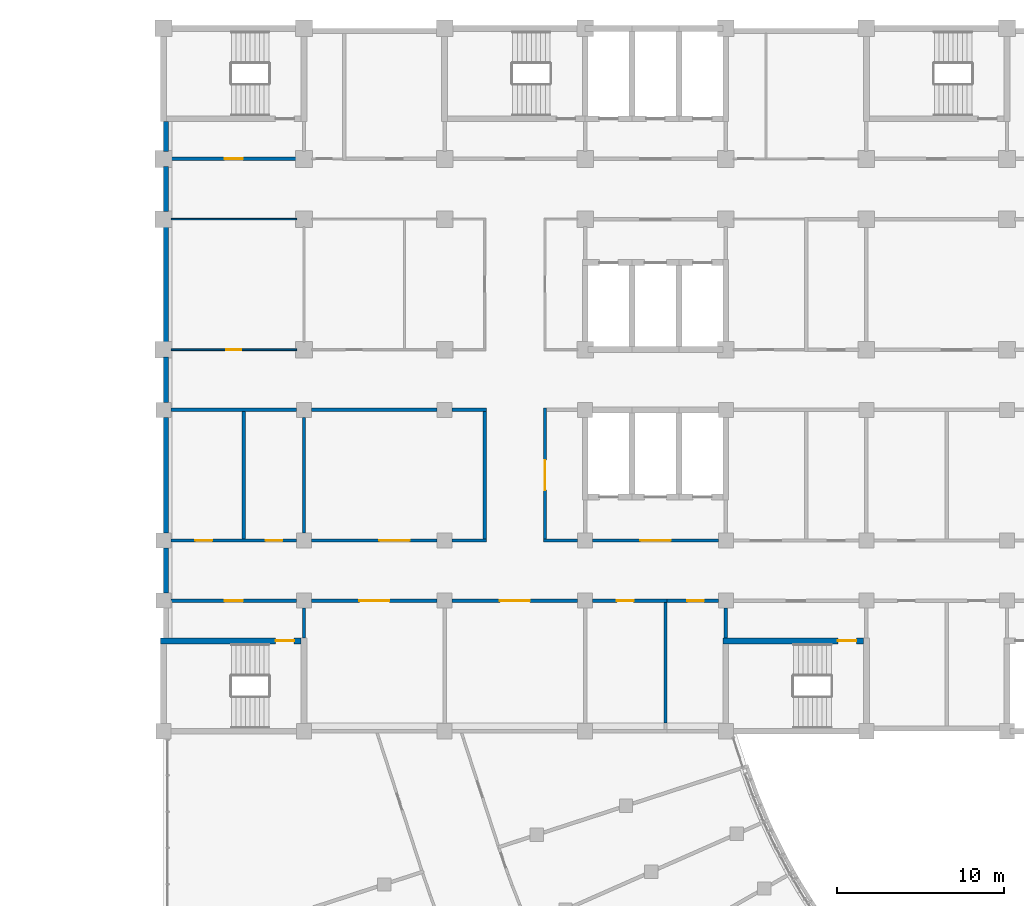
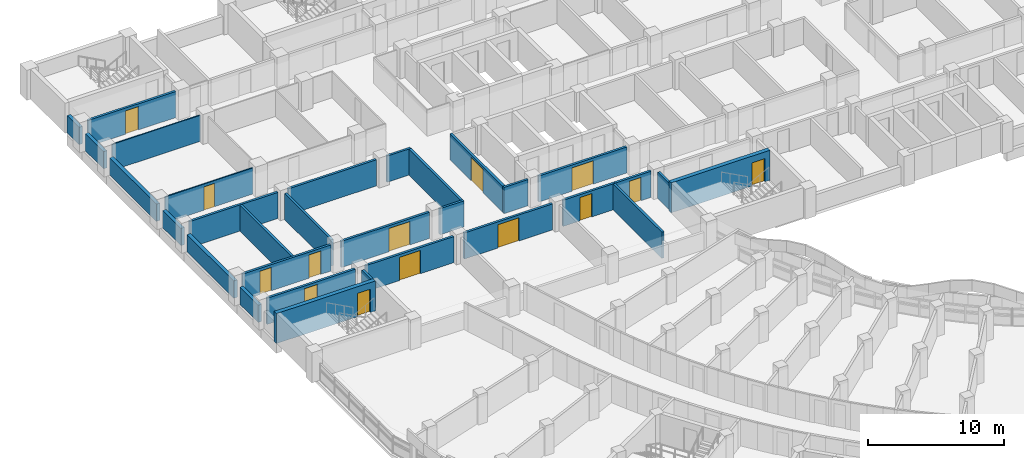
# One storey, part 44 of 89: 31 walls, 14 doors, 14 openings.
"""IFC4 building model written with IfcOpenShell, lengths in metres."""

from ifc_helpers import new_model, si_unit, direction, frame, frame_2d, origin, place, context, subcontext, project, spatial, rectangle, extrude, material, layer, layer_set, type_object, element, fill, save


model = new_model("IFC4")

# Units and contexts
model_context = context("Model", 3, precision=1e-05, world=origin(), true_north=direction((0.0, 1.0)))
body_context = subcontext(model_context, "Body", "Model", "MODEL_VIEW")
ifc_project = project(units=[si_unit("LENGTHUNIT", "METRE"), si_unit("AREAUNIT", "SQUARE_METRE"), si_unit("VOLUMEUNIT", "CUBIC_METRE"), si_unit("PLANEANGLEUNIT", "RADIAN"), si_unit("MASSUNIT", "GRAM", prefix="KILO")], contexts=[model_context])

# Site, building, storey
site_placement = place(None, origin())
site = spatial("IfcSite", under=ifc_project, at=site_placement, CompositionType="ELEMENT")
building_placement = place(site_placement, origin())
building = spatial("IfcBuilding", under=site, at=building_placement, Name="Bougainvillea Quay General Hospital", CompositionType="ELEMENT")
storey_placement = place(building_placement, frame((0.0, 0.0, 9.89990234375)))
storey = spatial("IfcBuildingStorey", under=building, at=storey_placement, Name="L01M", CompositionType="ELEMENT", Elevation=9.89990234375)

# Walls
ifc_material_1 = material(Name="Pale stone rainscreen cladding on insulated masonry backing, pale stone", Category="masonry")
ifc_layer_1 = layer(ifc_material_1, 0.300048828125)
ifc_layer_set_1 = layer_set([ifc_layer_1], Name="Pale stone rainscreen cladding on insulated masonry backing, pale stone")
wall_type_1 = type_object("IfcWallType", Name="External wall pale stone rainscreen 300", PredefinedType="STANDARD", material=ifc_layer_set_1)
wall_1_placement = place(storey_placement, frame((42.14990234375, 151.35009765625, 0.0), z_axis=(0.0, 0.0, 1.0), x_axis=(0.0, -1.0, 0.0)))
element("IfcWall", 1, at=wall_1_placement, inside=storey, type_object=wall_type_1, Name="External wall wall/V4/L01M/p0/10b", PredefinedType="STANDARD", context=body_context, shape_type="SweptSolid", body=[
    extrude(rectangle(XDim=2.7001953125, YDim=0.300048828125, at=frame_2d((1.35009765625, 0.0))), origin(), (0.0, 0.0, 1.0), 1.550048828125),
])
wall_2_placement = place(storey_placement, frame((42.14990234375, 147.75, 0.0), z_axis=(0.0, 0.0, 1.0), x_axis=(0.0, -1.0, 0.0)))
element("IfcWall", 2, at=wall_2_placement, inside=storey, type_object=wall_type_1, Name="External wall wall/V4/L01M/p0/10c", PredefinedType="STANDARD", context=body_context, shape_type="SweptSolid", body=[
    extrude(rectangle(XDim=6.89990234375, YDim=0.300048828125, at=frame_2d((3.449951171875, 0.0))), origin(), (0.0, 0.0, 1.0), 1.550048828125),
])
wall_3_placement = place(storey_placement, frame((42.14990234375, 139.949951171875, 0.0), z_axis=(0.0, 0.0, 1.0), x_axis=(0.0, -1.0, 0.0)))
element("IfcWall", 3, at=wall_3_placement, inside=storey, type_object=wall_type_1, Name="External wall wall/V4/L01M/p0/10d", PredefinedType="STANDARD", context=body_context, shape_type="SweptSolid", body=[
    extrude(rectangle(XDim=2.699951171875, YDim=0.300048828125, at=frame_2d((1.35009765625, 0.0))), origin(), (0.0, 0.0, 1.0), 1.550048828125),
])
wall_4_placement = place(storey_placement, frame((42.14990234375, 136.35009765625, 0.0), z_axis=(0.0, 0.0, 1.0), x_axis=(0.0, -1.0, 0.0)))
element("IfcWall", 4, at=wall_4_placement, inside=storey, type_object=wall_type_1, Name="External wall wall/V4/L01M/p0/10e", PredefinedType="STANDARD", context=body_context, shape_type="SweptSolid", body=[
    extrude(rectangle(XDim=6.900146484375, YDim=0.300048828125, at=frame_2d((3.4501953125, 0.0))), origin(), (0.0, 0.0, 1.0), 1.550048828125),
])
wall_5_placement = place(storey_placement, frame((42.14990234375, 128.550048828125, 0.0), z_axis=(0.0, 0.0, 1.0), x_axis=(0.0, -1.0, 0.0)))
element("IfcWall", 5, at=wall_5_placement, inside=storey, type_object=wall_type_1, Name="External wall wall/V4/L01M/p0/10f", PredefinedType="STANDARD", context=body_context, shape_type="SweptSolid", body=[
    extrude(rectangle(XDim=2.699951171875, YDim=0.300048828125, at=frame_2d((1.35009765625, 0.0))), origin(), (0.0, 0.0, 1.0), 1.550048828125),
])
ifc_material_2 = material(Name="Terracotta rainscreen cladding on insulated masonry backing, terracotta", Category="masonry")
ifc_layer_2 = layer(ifc_material_2, 0.300048828125)
ifc_layer_set_2 = layer_set([ifc_layer_2], Name="Terracotta rainscreen cladding on insulated masonry backing, terracotta")
wall_type_2 = type_object("IfcWallType", Name="External wall terracotta rainscreen 300", PredefinedType="STANDARD", material=ifc_layer_set_2)
wall_6_placement = place(storey_placement, frame((42.14990234375, 154.02490234375, 0.0), z_axis=(0.0, 0.0, 1.0), x_axis=(0.0, -1.0, 0.0)))
element("IfcWall", 6, at=wall_6_placement, inside=storey, type_object=wall_type_2, Name="External wall wall/V4/L01M/p0/10a", PredefinedType="STANDARD", context=body_context, shape_type="SweptSolid", body=[
    extrude(rectangle(XDim=1.77490234375, YDim=0.300048828125, at=frame_2d((0.887451171875, 0.0))), origin(), (0.0, 0.0, 1.0), 1.550048828125),
])

# Wall, opening, door
ifc_material_3 = material(Name="Gypsum board partition on steel studs", Category="steel")
ifc_layer_3 = layer(ifc_material_3, 0.10009765625)
ifc_layer_set_3 = layer_set([ifc_layer_3], Name="Gypsum board partition on steel studs")
wall_type_3 = type_object("IfcWallType", Name="Partition 100 Gypsum board partition", PredefinedType="PARTITIONING", material=ifc_layer_set_3)
wall_7_placement = place(storey_placement, frame((49.949951171875, 140.39990234375, 0.0), z_axis=(0.0, 0.0, 1.0), x_axis=(-1.0, 0.0, 0.0)))
wall_7 = element("IfcWall", 7, at=wall_7_placement, inside=storey, type_object=wall_type_3, Name="Partition 100 mm", PredefinedType="PARTITIONING", context=body_context, shape_type="SweptSolid", body=[
    extrude(rectangle(XDim=7.5, YDim=0.10009765625, at=frame_2d((3.75, 0.0))), origin(), (0.0, 0.0, 1.0), 2.35009765625),
])
opening_1_placement = place(wall_7_placement, frame((3.300048828125, 0.0, 0.0)))
opening_1 = element("IfcOpeningElement", 8, at=opening_1_placement, cuts=wall_7, Name="Opening L01M.129", PredefinedType="OPENING", context=body_context, shape_type="SweptSolid", body=[
    extrude(rectangle(XDim=0.89990234375, YDim=2.10009765625, at=frame_2d((0.449951171875, 1.050048828125))), frame((0.0, 0.06005859375, 0.0), z_axis=(0.0, -1.0, 0.0), x_axis=(1.0, 0.0, 0.0)), (0.0, 0.0, 1.0), 0.1201171875),
])
ifc_material_4 = material(Name="Solid-core timber door leaf in steel frame", Category="steel")
door_type_1 = type_object("IfcDoorType", Name="Single leaf door 900x2100", OperationType="NOTDEFINED", PredefinedType="DOOR", material=ifc_material_4)
door_1_placement = place(opening_1_placement, frame((0.89990234375, 0.0, 0.0), z_axis=(0.0, 0.0, 1.0), x_axis=(-1.0, 0.0, 0.0)))
door_1 = element("IfcDoor", 9, at=door_1_placement, inside=storey, type_object=door_type_1, Name="DT07 L01M.129", OperationType="SINGLE_SWING_LEFT", OverallHeight=2.10009765625, OverallWidth=0.89990234375, PredefinedType="DOOR", context=body_context, shape_type="SweptSolid", body=[
    extrude(rectangle(XDim=0.89990234375, YDim=2.10009765625, at=frame_2d((0.449951171875, 1.050048828125))), frame((0.0, 0.02490234375, 0.0), z_axis=(0.0, -1.0, 0.0), x_axis=(1.0, 0.0, 0.0)), (0.0, 0.0, 1.0), 0.050048828125),
])
fill(opening_1, door_1)

# Wall
wall_8_placement = place(storey_placement, frame((49.949951171875, 148.199951171875, 0.0), z_axis=(0.0, 0.0, 1.0), x_axis=(-1.0, 0.0, 0.0)))
element("IfcWall", 10, at=wall_8_placement, inside=storey, type_object=wall_type_3, Name="Partition 100 mm", PredefinedType="PARTITIONING", context=body_context, shape_type="SweptSolid", body=[
    extrude(rectangle(XDim=7.5, YDim=0.10009765625, at=frame_2d((3.75, 0.0))), origin(), (0.0, 0.0, 1.0), 2.35009765625),
])

# Wall, opening, door
ifc_material_5 = material(Name="Fire-rated autoclaved aerated block wall, plastered")
ifc_layer_4 = layer(ifc_material_5, 0.199951171875)
ifc_layer_set_4 = layer_set([ifc_layer_4], Name="Fire-rated autoclaved aerated block wall, plastered")
wall_type_4 = type_object("IfcWallType", Name="Partition 200 Fire-rated autoclaved aerated block wall EI 120", PredefinedType="SOLIDWALL", material=ifc_layer_set_4)
wall_9_placement = place(storey_placement, frame((75.14990234375, 129.0, 0.0), z_axis=(0.0, 0.0, 1.0), x_axis=(-1.0, 0.0, 0.0)))
wall_9 = element("IfcWall", 11, at=wall_9_placement, inside=storey, type_object=wall_type_4, Name="Partition 200 mm EI 120", PredefinedType="SOLIDWALL", context=body_context, shape_type="SweptSolid", body=[
    extrude(rectangle(XDim=7.5, YDim=0.199951171875, at=frame_2d((3.75, 0.0))), origin(), (0.0, 0.0, 1.0), 2.35009765625),
])
opening_2_placement = place(wall_9_placement, frame((2.85009765625, 0.0, 0.0)))
opening_2 = element("IfcOpeningElement", 12, at=opening_2_placement, cuts=wall_9, Name="Opening L01M.045", PredefinedType="OPENING", context=body_context, shape_type="SweptSolid", body=[
    extrude(rectangle(XDim=1.800048828125, YDim=2.10009765625, at=frame_2d((0.89990234375, 1.050048828125))), frame((0.0, 0.10986328125, 0.0), z_axis=(0.0, -1.0, 0.0), x_axis=(1.0, 0.0, 0.0)), (0.0, 0.0, 1.0), 0.219970703125),
])
ifc_material_6 = material(Name="Steel fire door leaves in steel frame", Category="steel")
door_type_2 = type_object("IfcDoorType", Name="Steel double leaf door 1800x2100 FD60", OperationType="DOUBLE_DOOR_SINGLE_SWING", PredefinedType="DOOR", material=ifc_material_6)
door_2_placement = place(opening_2_placement, frame((1.800048828125, 0.0, 0.0), z_axis=(0.0, 0.0, 1.0), x_axis=(-1.0, 0.0, 0.0)))
door_2 = element("IfcDoor", 13, at=door_2_placement, inside=storey, type_object=door_type_2, Name="DT05 L01M.045", OperationType="DOUBLE_DOOR_SINGLE_SWING", OverallHeight=2.10009765625, OverallWidth=1.800048828125, PredefinedType="DOOR", context=body_context, shape_type="SweptSolid", body=[
    extrude(rectangle(XDim=1.800048828125, YDim=2.10009765625, at=frame_2d((0.89990234375, 1.050048828125))), frame((0.0, 0.02490234375, 0.0), z_axis=(0.0, -1.0, 0.0), x_axis=(1.0, 0.0, 0.0)), (0.0, 0.0, 1.0), 0.050048828125),
])
fill(opening_2, door_2)

# Wall
wall_10_placement = place(storey_placement, frame((66.75, 129.0, 0.0), z_axis=(0.0, 0.0, 1.0), x_axis=(-1.0, 0.0, 0.0)))
element("IfcWall", 14, at=wall_10_placement, inside=storey, type_object=wall_type_4, Name="Partition 200 mm EI 120", PredefinedType="SOLIDWALL", context=body_context, shape_type="SweptSolid", body=[
    extrude(rectangle(XDim=2.050048828125, YDim=0.199951171875, at=frame_2d((1.02490234375, 0.0))), origin(), (0.0, 0.0, 1.0), 2.35009765625),
])

# Wall, opening, door
wall_11_placement = place(storey_placement, frame((72.097900390625, 125.39990234375, 0.0), z_axis=(0.0, 0.0, 1.0), x_axis=(-1.0, 0.0, 0.0)))
wall_11 = element("IfcWall", 15, at=wall_11_placement, inside=storey, type_object=wall_type_4, Name="Partition 200 mm EI 120", PredefinedType="SOLIDWALL", context=body_context, shape_type="SweptSolid", body=[
    extrude(rectangle(XDim=4.447998046875, YDim=0.199951171875, at=frame_2d((2.22412109375, 0.0))), origin(), (0.0, 0.0, 1.0), 2.35009765625),
])
opening_3_placement = place(wall_11_placement, frame((2.0, 0.0, 0.0)))
opening_3 = element("IfcOpeningElement", 16, at=opening_3_placement, cuts=wall_11, Name="Opening L01M.084", PredefinedType="OPENING", context=body_context, shape_type="SweptSolid", body=[
    extrude(rectangle(XDim=1.0, YDim=2.10009765625, at=frame_2d((0.5, 1.050048828125))), frame((0.0, 0.10986328125, 0.0), z_axis=(0.0, -1.0, 0.0), x_axis=(1.0, 0.0, 0.0)), (0.0, 0.0, 1.0), 0.219970703125),
])
ifc_material_7 = material(Name="Steel fire door leaf in steel frame", Category="steel")
door_type_3 = type_object("IfcDoorType", Name="Steel single leaf door 1000x2100 FD90", OperationType="NOTDEFINED", PredefinedType="DOOR", material=ifc_material_7)
door_3_placement = place(opening_3_placement, origin())
door_3 = element("IfcDoor", 17, at=door_3_placement, inside=storey, type_object=door_type_3, Name="DT11 L01M.084", OperationType="SINGLE_SWING_RIGHT", OverallHeight=2.10009765625, OverallWidth=1.0, PredefinedType="DOOR", context=body_context, shape_type="SweptSolid", body=[
    extrude(rectangle(XDim=1.0, YDim=2.10009765625, at=frame_2d((0.5, 1.050048828125))), frame((0.0, 0.02490234375, 0.0), z_axis=(0.0, -1.0, 0.0), x_axis=(1.0, 0.0, 0.0)), (0.0, 0.0, 1.0), 0.050048828125),
])
fill(opening_3, door_3)

wall_12_placement = place(storey_placement, frame((66.75, 125.39990234375, 0.0), z_axis=(0.0, 0.0, 1.0), x_axis=(-1.0, 0.0, 0.0)))
wall_12 = element("IfcWall", 18, at=wall_12_placement, inside=storey, type_object=wall_type_4, Name="Partition 200 mm EI 120", PredefinedType="SOLIDWALL", context=body_context, shape_type="SweptSolid", body=[
    extrude(rectangle(XDim=7.5, YDim=0.199951171875, at=frame_2d((3.75, 0.0))), origin(), (0.0, 0.0, 1.0), 2.35009765625),
])
opening_4_placement = place(wall_12_placement, frame((2.85205078125, 0.0, 0.0)))
opening_4 = element("IfcOpeningElement", 19, at=opening_4_placement, cuts=wall_12, Name="Opening L01M.083", PredefinedType="OPENING", context=body_context, shape_type="SweptSolid", body=[
    extrude(rectangle(XDim=1.800048828125, YDim=2.10009765625, at=frame_2d((0.89990234375, 1.050048828125))), frame((0.0, 0.10986328125, 0.0), z_axis=(0.0, -1.0, 0.0), x_axis=(1.0, 0.0, 0.0)), (0.0, 0.0, 1.0), 0.219970703125),
])
door_type_4 = type_object("IfcDoorType", Name="Steel double leaf door 1800x2100 FD90", OperationType="DOUBLE_DOOR_SINGLE_SWING", PredefinedType="DOOR", material=ifc_material_6)
door_4_placement = place(opening_4_placement, origin())
door_4 = element("IfcDoor", 20, at=door_4_placement, inside=storey, type_object=door_type_4, Name="DT03 L01M.083", OperationType="DOUBLE_DOOR_SINGLE_SWING", OverallHeight=2.10009765625, OverallWidth=1.800048828125, PredefinedType="DOOR", context=body_context, shape_type="SweptSolid", body=[
    extrude(rectangle(XDim=1.800048828125, YDim=2.10009765625, at=frame_2d((0.89990234375, 1.050048828125))), frame((0.0, 0.02490234375, 0.0), z_axis=(0.0, -1.0, 0.0), x_axis=(1.0, 0.0, 0.0)), (0.0, 0.0, 1.0), 0.050048828125),
])
fill(opening_4, door_4)

wall_13_placement = place(storey_placement, frame((58.35009765625, 125.39990234375, 0.0), z_axis=(0.0, 0.0, 1.0), x_axis=(-1.0, 0.0, 0.0)))
wall_13 = element("IfcWall", 21, at=wall_13_placement, inside=storey, type_object=wall_type_4, Name="Partition 200 mm EI 120", PredefinedType="SOLIDWALL", context=body_context, shape_type="SweptSolid", body=[
    extrude(rectangle(XDim=7.5, YDim=0.199951171875, at=frame_2d((3.75, 0.0))), origin(), (0.0, 0.0, 1.0), 2.35009765625),
])
opening_5_placement = place(wall_13_placement, frame((2.85107421875, 0.0, 0.0)))
opening_5 = element("IfcOpeningElement", 22, at=opening_5_placement, cuts=wall_13, Name="Opening L01M.082", PredefinedType="OPENING", context=body_context, shape_type="SweptSolid", body=[
    extrude(rectangle(XDim=1.800048828125, YDim=2.10009765625, at=frame_2d((0.89990234375, 1.050048828125))), frame((0.0, 0.10986328125, 0.0), z_axis=(0.0, -1.0, 0.0), x_axis=(1.0, 0.0, 0.0)), (0.0, 0.0, 1.0), 0.219970703125),
])
door_5_placement = place(opening_5_placement, origin())
door_5 = element("IfcDoor", 23, at=door_5_placement, inside=storey, type_object=door_type_4, Name="DT03 L01M.082", OperationType="DOUBLE_DOOR_SINGLE_SWING", OverallHeight=2.10009765625, OverallWidth=1.800048828125, PredefinedType="DOOR", context=body_context, shape_type="SweptSolid", body=[
    extrude(rectangle(XDim=1.800048828125, YDim=2.10009765625, at=frame_2d((0.89990234375, 1.050048828125))), frame((0.0, 0.02490234375, 0.0), z_axis=(0.0, -1.0, 0.0), x_axis=(1.0, 0.0, 0.0)), (0.0, 0.0, 1.0), 0.050048828125),
])
fill(opening_5, door_5)

wall_14_placement = place(storey_placement, frame((49.949951171875, 125.39990234375, 0.0), z_axis=(0.0, 0.0, 1.0), x_axis=(-1.0, 0.0, 0.0)))
wall_14 = element("IfcWall", 24, at=wall_14_placement, inside=storey, type_object=wall_type_4, Name="Partition 200 mm EI 120", PredefinedType="SOLIDWALL", context=body_context, shape_type="SweptSolid", body=[
    extrude(rectangle(XDim=7.5, YDim=0.199951171875, at=frame_2d((3.75, 0.0))), origin(), (0.0, 0.0, 1.0), 2.35009765625),
])
opening_6_placement = place(wall_14_placement, frame((3.199951171875, 0.0, 0.0)))
opening_6 = element("IfcOpeningElement", 25, at=opening_6_placement, cuts=wall_14, Name="Opening L01M.035", PredefinedType="OPENING", context=body_context, shape_type="SweptSolid", body=[
    extrude(rectangle(XDim=1.10009765625, YDim=2.10009765625, at=frame_2d((0.550048828125, 1.050048828125))), frame((0.0, 0.10986328125, 0.0), z_axis=(0.0, -1.0, 0.0), x_axis=(1.0, 0.0, 0.0)), (0.0, 0.0, 1.0), 0.219970703125),
])
door_type_5 = type_object("IfcDoorType", Name="Steel single leaf door 1100x2100 FD60", OperationType="NOTDEFINED", PredefinedType="DOOR", material=ifc_material_7)
door_6_placement = place(opening_6_placement, origin())
door_6 = element("IfcDoor", 26, at=door_6_placement, inside=storey, type_object=door_type_5, Name="DT04 L01M.035", OperationType="SINGLE_SWING_LEFT", OverallHeight=2.10009765625, OverallWidth=1.10009765625, PredefinedType="DOOR", context=body_context, shape_type="SweptSolid", body=[
    extrude(rectangle(XDim=1.10009765625, YDim=2.10009765625, at=frame_2d((0.550048828125, 1.050048828125))), frame((0.0, 0.02490234375, 0.0), z_axis=(0.0, -1.0, 0.0), x_axis=(1.0, 0.0, 0.0)), (0.0, 0.0, 1.0), 0.050048828125),
])
fill(opening_6, door_6)

# Wall
wall_15_placement = place(storey_placement, frame((61.300048828125, 129.0, 0.0), z_axis=(0.0, 0.0, 1.0), x_axis=(-1.0, 0.0, 0.0)))
element("IfcWall", 27, at=wall_15_placement, inside=storey, type_object=wall_type_4, Name="Partition 200 mm EI 120", PredefinedType="SOLIDWALL", context=body_context, shape_type="SweptSolid", body=[
    extrude(rectangle(XDim=2.050048828125, YDim=0.199951171875, at=frame_2d((1.02490234375, 0.0))), origin(), (0.0, 0.0, 1.0), 2.35009765625),
])

# Wall, opening, door
wall_16_placement = place(storey_placement, frame((58.35009765625, 129.0, 0.0), z_axis=(0.0, 0.0, 1.0), x_axis=(-1.0, 0.0, 0.0)))
wall_16 = element("IfcWall", 28, at=wall_16_placement, inside=storey, type_object=wall_type_4, Name="Partition 200 mm EI 120", PredefinedType="SOLIDWALL", context=body_context, shape_type="SweptSolid", body=[
    extrude(rectangle(XDim=7.5, YDim=0.199951171875, at=frame_2d((3.75, 0.0))), origin(), (0.0, 0.0, 1.0), 2.35009765625),
])
opening_7_placement = place(wall_16_placement, frame((1.64990234375, 0.0, 0.0)))
opening_7 = element("IfcOpeningElement", 29, at=opening_7_placement, cuts=wall_16, Name="Opening L01M.088", PredefinedType="OPENING", context=body_context, shape_type="SweptSolid", body=[
    extrude(rectangle(XDim=1.800048828125, YDim=2.10009765625, at=frame_2d((0.89990234375, 1.050048828125))), frame((0.0, 0.10986328125, 0.0), z_axis=(0.0, -1.0, 0.0), x_axis=(1.0, 0.0, 0.0)), (0.0, 0.0, 1.0), 0.219970703125),
])
door_7_placement = place(opening_7_placement, frame((1.800048828125, 0.0, 0.0), z_axis=(0.0, 0.0, 1.0), x_axis=(-1.0, 0.0, 0.0)))
door_7 = element("IfcDoor", 30, at=door_7_placement, inside=storey, type_object=door_type_4, Name="DT03 L01M.088", OperationType="DOUBLE_DOOR_SINGLE_SWING", OverallHeight=2.10009765625, OverallWidth=1.800048828125, PredefinedType="DOOR", context=body_context, shape_type="SweptSolid", body=[
    extrude(rectangle(XDim=1.800048828125, YDim=2.10009765625, at=frame_2d((0.89990234375, 1.050048828125))), frame((0.0, 0.02490234375, 0.0), z_axis=(0.0, -1.0, 0.0), x_axis=(1.0, 0.0, 0.0)), (0.0, 0.0, 1.0), 0.050048828125),
])
fill(opening_7, door_7)

# Wall, openings, doors
wall_17_placement = place(storey_placement, frame((49.949951171875, 129.0, 0.0), z_axis=(0.0, 0.0, 1.0), x_axis=(-1.0, 0.0, 0.0)))
wall_17 = element("IfcWall", 31, at=wall_17_placement, inside=storey, type_object=wall_type_4, Name="Partition 200 mm EI 120", PredefinedType="SOLIDWALL", context=body_context, shape_type="SweptSolid", body=[
    extrude(rectangle(XDim=7.5, YDim=0.199951171875, at=frame_2d((3.75, 0.0))), origin(), (0.0, 0.0, 1.0), 2.35009765625),
])
opening_8_placement = place(wall_17_placement, frame((5.050048828125, 0.0, 0.0)))
opening_8 = element("IfcOpeningElement", 32, at=opening_8_placement, cuts=wall_17, Name="Opening L01M.086", PredefinedType="OPENING", context=body_context, shape_type="SweptSolid", body=[
    extrude(rectangle(XDim=1.0, YDim=2.10009765625, at=frame_2d((0.5, 1.050048828125))), frame((0.0, 0.10986328125, 0.0), z_axis=(0.0, -1.0, 0.0), x_axis=(1.0, 0.0, 0.0)), (0.0, 0.0, 1.0), 0.219970703125),
])
opening_9_placement = place(wall_17_placement, frame((0.85009765625, 0.0, 0.0)))
opening_9 = element("IfcOpeningElement", 33, at=opening_9_placement, cuts=wall_17, Name="Opening L01M.087", PredefinedType="OPENING", context=body_context, shape_type="SweptSolid", body=[
    extrude(rectangle(XDim=1.0, YDim=2.10009765625, at=frame_2d((0.5, 1.050048828125))), frame((0.0, 0.10986328125, 0.0), z_axis=(0.0, -1.0, 0.0), x_axis=(1.0, 0.0, 0.0)), (0.0, 0.0, 1.0), 0.219970703125),
])
door_8_placement = place(opening_8_placement, frame((1.0, 0.0, 0.0), z_axis=(0.0, 0.0, 1.0), x_axis=(-1.0, 0.0, 0.0)))
door_8 = element("IfcDoor", 34, at=door_8_placement, inside=storey, type_object=door_type_3, Name="DT11 L01M.086", OperationType="SINGLE_SWING_LEFT", OverallHeight=2.10009765625, OverallWidth=1.0, PredefinedType="DOOR", context=body_context, shape_type="SweptSolid", body=[
    extrude(rectangle(XDim=1.0, YDim=2.10009765625, at=frame_2d((0.5, 1.050048828125))), frame((0.0, 0.02490234375, 0.0), z_axis=(0.0, -1.0, 0.0), x_axis=(1.0, 0.0, 0.0)), (0.0, 0.0, 1.0), 0.050048828125),
])
fill(opening_8, door_8)
door_9_placement = place(opening_9_placement, frame((1.0, 0.0, 0.0), z_axis=(0.0, 0.0, 1.0), x_axis=(-1.0, 0.0, 0.0)))
door_9 = element("IfcDoor", 35, at=door_9_placement, inside=storey, type_object=door_type_3, Name="DT11 L01M.087", OperationType="SINGLE_SWING_RIGHT", OverallHeight=2.10009765625, OverallWidth=1.0, PredefinedType="DOOR", context=body_context, shape_type="SweptSolid", body=[
    extrude(rectangle(XDim=1.0, YDim=2.10009765625, at=frame_2d((0.5, 1.050048828125))), frame((0.0, 0.02490234375, 0.0), z_axis=(0.0, -1.0, 0.0), x_axis=(1.0, 0.0, 0.0)), (0.0, 0.0, 1.0), 0.050048828125),
])
fill(opening_9, door_9)

# Walls
wall_18_placement = place(storey_placement, frame((61.300048828125, 136.800048828125, 0.0), z_axis=(0.0, 0.0, 1.0), x_axis=(-1.0, 0.0, 0.0)))
element("IfcWall", 36, at=wall_18_placement, inside=storey, type_object=wall_type_4, Name="Partition 200 mm EI 120", PredefinedType="SOLIDWALL", context=body_context, shape_type="SweptSolid", body=[
    extrude(rectangle(XDim=2.050048828125, YDim=0.199951171875, at=frame_2d((1.02490234375, 0.0))), origin(), (0.0, 0.0, 1.0), 2.35009765625),
])
for number, where, z_axis, x_axis, name in (
    (37, (58.35009765625, 136.800048828125, 0.0), (0.0, 0.0, 1.0), (-1.0, 0.0, 0.0), "Partition 200 mm EI 120"),
    (38, (49.949951171875, 136.800048828125, 0.0), (0.0, 0.0, 1.0), (-1.0, 0.0, 0.0), "Partition 200 mm EI 120"),
):
    element("IfcWall", number, at=place(storey_placement, frame(where, z_axis=z_axis, x_axis=x_axis)), inside=storey, type_object=wall_type_4, Name=name, PredefinedType="SOLIDWALL", context=body_context, shape_type="SweptSolid", body=[
        extrude(rectangle(XDim=7.5, YDim=0.199951171875, at=frame_2d((3.75, 0.0))), origin(), (0.0, 0.0, 1.0), 2.35009765625),
    ])
wall_19_placement = place(storey_placement, frame((50.39990234375, 123.175048828125, 0.0), z_axis=(0.0, 0.0, 1.0), x_axis=(0.0, 1.0, 0.0)))
element("IfcWall", 39, at=wall_19_placement, inside=storey, type_object=wall_type_4, Name="Partition 200 mm EI 120", PredefinedType="SOLIDWALL", context=body_context, shape_type="SweptSolid", body=[
    extrude(rectangle(XDim=1.77490234375, YDim=0.199951171875, at=frame_2d((0.887451171875, 0.0))), origin(), (0.0, 0.0, 1.0), 2.35009765625),
])

# Wall, opening, door
wall_20_placement = place(storey_placement, frame((42.449951171875, 151.800048828125, 0.0), z_axis=(0.0, 0.0, 1.0), x_axis=(1.0, 0.0, 0.0)))
wall_20 = element("IfcWall", 40, at=wall_20_placement, inside=storey, type_object=wall_type_4, Name="Partition 200 mm EI 120", PredefinedType="SOLIDWALL", context=body_context, shape_type="SweptSolid", body=[
    extrude(rectangle(XDim=7.5, YDim=0.199951171875, at=frame_2d((3.75, 0.0))), origin(), (0.0, 0.0, 1.0), 2.35009765625),
])
opening_10_placement = place(wall_20_placement, frame((3.199951171875, 0.0, 0.0)))
opening_10 = element("IfcOpeningElement", 41, at=opening_10_placement, cuts=wall_20, Name="Opening L01M.031", PredefinedType="OPENING", context=body_context, shape_type="SweptSolid", body=[
    extrude(rectangle(XDim=1.10009765625, YDim=2.10009765625, at=frame_2d((0.550048828125, 1.050048828125))), frame((0.0, 0.10986328125, 0.0), z_axis=(0.0, -1.0, 0.0), x_axis=(1.0, 0.0, 0.0)), (0.0, 0.0, 1.0), 0.219970703125),
])
door_10_placement = place(opening_10_placement, origin())
door_10 = element("IfcDoor", 42, at=door_10_placement, inside=storey, type_object=door_type_5, Name="DT04 L01M.031", OperationType="SINGLE_SWING_RIGHT", OverallHeight=2.10009765625, OverallWidth=1.10009765625, PredefinedType="DOOR", context=body_context, shape_type="SweptSolid", body=[
    extrude(rectangle(XDim=1.10009765625, YDim=2.10009765625, at=frame_2d((0.550048828125, 1.050048828125))), frame((0.0, 0.02490234375, 0.0), z_axis=(0.0, -1.0, 0.0), x_axis=(1.0, 0.0, 0.0)), (0.0, 0.0, 1.0), 0.050048828125),
])
fill(opening_10, door_10)

# Walls
wall_21_placement = place(storey_placement, frame((71.998046875, 118.097900390625, 0.0), z_axis=(0.0, 0.0, 1.0), x_axis=(0.0, 1.0, 0.0)))
element("IfcWall", 43, at=wall_21_placement, inside=storey, type_object=wall_type_4, Name="Partition 200 mm EI 120", PredefinedType="SOLIDWALL", context=body_context, shape_type="SweptSolid", body=[
    extrude(rectangle(XDim=7.2021484375, YDim=0.199951171875, at=frame_2d((3.60107421875, 0.0))), origin(), (0.0, 0.0, 1.0), 2.35009765625),
])
wall_22_placement = place(storey_placement, frame((46.800048828125, 129.10009765625, 0.0), z_axis=(0.0, 0.0, 1.0), x_axis=(0.0, 1.0, 0.0)))
element("IfcWall", 44, at=wall_22_placement, inside=storey, type_object=wall_type_4, Name="Partition 200 mm EI 120", PredefinedType="SOLIDWALL", context=body_context, shape_type="SweptSolid", body=[
    extrude(rectangle(XDim=7.599853515625, YDim=0.199951171875, at=frame_2d((3.7998046875, 0.0))), origin(), (0.0, 0.0, 1.0), 2.35009765625),
])
wall_23_placement = place(storey_placement, frame((50.39990234375, 129.449951171875, 0.0), z_axis=(0.0, 0.0, 1.0), x_axis=(0.0, 1.0, 0.0)))
element("IfcWall", 45, at=wall_23_placement, inside=storey, type_object=wall_type_4, Name="Partition 200 mm EI 120", PredefinedType="SOLIDWALL", context=body_context, shape_type="SweptSolid", body=[
    extrude(rectangle(XDim=6.900146484375, YDim=0.199951171875, at=frame_2d((3.4501953125, 0.0))), origin(), (0.0, 0.0, 1.0), 2.35009765625),
])
wall_24_placement = place(storey_placement, frame((61.199951171875, 129.10009765625, 0.0), z_axis=(0.0, 0.0, 1.0), x_axis=(0.0, 1.0, 0.0)))
element("IfcWall", 46, at=wall_24_placement, inside=storey, type_object=wall_type_4, Name="Partition 200 mm EI 120", PredefinedType="SOLIDWALL", context=body_context, shape_type="SweptSolid", body=[
    extrude(rectangle(XDim=7.599853515625, YDim=0.199951171875, at=frame_2d((3.7998046875, 0.0))), origin(), (0.0, 0.0, 1.0), 2.35009765625),
])

# Wall, opening, door
wall_25_placement = place(storey_placement, frame((64.800048828125, 129.10009765625, 0.0), z_axis=(0.0, 0.0, 1.0), x_axis=(0.0, 1.0, 0.0)))
wall_25 = element("IfcWall", 47, at=wall_25_placement, inside=storey, type_object=wall_type_4, Name="Partition 200 mm EI 120", PredefinedType="SOLIDWALL", context=body_context, shape_type="SweptSolid", body=[
    extrude(rectangle(XDim=7.7998046875, YDim=0.199951171875, at=frame_2d((3.89990234375, 0.0))), origin(), (0.0, 0.0, 1.0), 2.35009765625),
])
opening_11_placement = place(wall_25_placement, frame((2.89990234375, 0.0, 0.0)))
opening_11 = element("IfcOpeningElement", 48, at=opening_11_placement, cuts=wall_25, Name="Opening L01M.089", PredefinedType="OPENING", context=body_context, shape_type="SweptSolid", body=[
    extrude(rectangle(XDim=1.800048828125, YDim=2.10009765625, at=frame_2d((0.89990234375, 1.050048828125))), frame((0.0, 0.10986328125, 0.0), z_axis=(0.0, -1.0, 0.0), x_axis=(1.0, 0.0, 0.0)), (0.0, 0.0, 1.0), 0.219970703125),
])
door_11_placement = place(opening_11_placement, frame((1.800048828125, 0.0, 0.0), z_axis=(0.0, 0.0, 1.0), x_axis=(-1.0, 0.0, 0.0)))
door_11 = element("IfcDoor", 49, at=door_11_placement, inside=storey, type_object=door_type_4, Name="DT03 L01M.089", OperationType="DOUBLE_DOOR_SINGLE_SWING", OverallHeight=2.10009765625, OverallWidth=1.800048828125, PredefinedType="DOOR", context=body_context, shape_type="SweptSolid", body=[
    extrude(rectangle(XDim=1.800048828125, YDim=2.10009765625, at=frame_2d((0.89990234375, 1.050048828125))), frame((0.0, 0.02490234375, 0.0), z_axis=(0.0, -1.0, 0.0), x_axis=(1.0, 0.0, 0.0)), (0.0, 0.0, 1.0), 0.050048828125),
])
fill(opening_11, door_11)

# Wall
ifc_layer_5 = layer(ifc_material_5, 0.199951171875)
ifc_layer_set_5 = layer_set([ifc_layer_5], Name="Fire-rated autoclaved aerated block wall, plastered")
wall_type_5 = type_object("IfcWallType", Name="Partition 200 Fire-rated autoclaved aerated block wall EI 60", PredefinedType="SOLIDWALL", material=ifc_layer_set_5)
wall_26_placement = place(storey_placement, frame((75.597900390625, 123.175048828125, 0.0), z_axis=(0.0, 0.0, 1.0), x_axis=(0.0, 1.0, 0.0)))
element("IfcWall", 50, at=wall_26_placement, inside=storey, type_object=wall_type_5, Name="Partition 200 mm EI 60", PredefinedType="SOLIDWALL", context=body_context, shape_type="SweptSolid", body=[
    extrude(rectangle(XDim=1.77490234375, YDim=0.199951171875, at=frame_2d((0.887451171875, 0.0))), origin(), (0.0, 0.0, 1.0), 2.35009765625),
])

# Wall, opening, door
wall_27_placement = place(storey_placement, frame((72.097900390625, 125.39990234375, 0.0), z_axis=(0.0, 0.0, 1.0), x_axis=(1.0, 0.0, 0.0)))
wall_27 = element("IfcWall", 51, at=wall_27_placement, inside=storey, type_object=wall_type_5, Name="Partition 200 mm EI 60", PredefinedType="SOLIDWALL", context=body_context, shape_type="SweptSolid", body=[
    extrude(rectangle(XDim=3.052001953125, YDim=0.199951171875, at=frame_2d((1.52587890625, 0.0))), origin(), (0.0, 0.0, 1.0), 2.35009765625),
])
opening_12_placement = place(wall_27_placement, frame((1.199951171875, 0.0, 0.0)))
opening_12 = element("IfcOpeningElement", 52, at=opening_12_placement, cuts=wall_27, Name="Opening L01M.085", PredefinedType="OPENING", context=body_context, shape_type="SweptSolid", body=[
    extrude(rectangle(XDim=1.0, YDim=2.10009765625, at=frame_2d((0.5, 1.050048828125))), frame((0.0, 0.10986328125, 0.0), z_axis=(0.0, -1.0, 0.0), x_axis=(1.0, 0.0, 0.0)), (0.0, 0.0, 1.0), 0.219970703125),
])
door_type_6 = type_object("IfcDoorType", Name="Steel single leaf door 1000x2100 FD60", OperationType="NOTDEFINED", PredefinedType="DOOR", material=ifc_material_7)
door_12_placement = place(opening_12_placement, frame((1.0, 0.0, 0.0), z_axis=(0.0, 0.0, 1.0), x_axis=(-1.0, 0.0, 0.0)))
door_12 = element("IfcDoor", 53, at=door_12_placement, inside=storey, type_object=door_type_6, Name="DT10 L01M.085", OperationType="SINGLE_SWING_LEFT", OverallHeight=2.10009765625, OverallWidth=1.0, PredefinedType="DOOR", context=body_context, shape_type="SweptSolid", body=[
    extrude(rectangle(XDim=1.0, YDim=2.10009765625, at=frame_2d((0.5, 1.050048828125))), frame((0.0, 0.02490234375, 0.0), z_axis=(0.0, -1.0, 0.0), x_axis=(1.0, 0.0, 0.0)), (0.0, 0.0, 1.0), 0.050048828125),
])
fill(opening_12, door_12)

ifc_material_8 = material(Name="Concrete C40", Category="concrete")
ifc_layer_6 = layer(ifc_material_8, 0.35009765625)
ifc_layer_set_6 = layer_set([ifc_layer_6], Name="Concrete C40")
wall_type_6 = type_object("IfcWallType", Name="RC SHEAR WALL 350 C40", PredefinedType="SHEAR", material=ifc_layer_set_6)
wall_28_placement = place(storey_placement, frame((41.824951171875, 123.0, 0.0), z_axis=(0.0, 0.0, 1.0), x_axis=(1.0, 0.0, 0.0)))
wall_28 = element("IfcWall", 54, at=wall_28_placement, inside=storey, type_object=wall_type_6, Name="Shear wall L01M", PredefinedType="SHEAR", context=body_context, shape_type="SweptSolid", body=[
    extrude(rectangle(XDim=8.400146484375, YDim=0.35009765625, at=frame_2d((4.2001953125, 0.0))), origin(), (0.0, 0.0, 1.0), 2.7001953125),
])
opening_13_placement = place(wall_28_placement, frame((6.875, 0.0, 0.0)))
opening_13 = element("IfcOpeningElement", 55, at=opening_13_placement, cuts=wall_28, Name="Opening L01M.021", PredefinedType="OPENING", context=body_context, shape_type="SweptSolid", body=[
    extrude(rectangle(XDim=1.10009765625, YDim=2.10009765625, at=frame_2d((0.550048828125, 1.050048828125))), frame((0.0, 0.18505859375, 0.0), z_axis=(0.0, -1.0, 0.0), x_axis=(1.0, 0.0, 0.0)), (0.0, 0.0, 1.0), 0.3701171875),
])
door_13_placement = place(opening_13_placement, frame((1.10009765625, 0.0, 0.0), z_axis=(0.0, 0.0, 1.0), x_axis=(-1.0, 0.0, 0.0)))
door_13 = element("IfcDoor", 56, at=door_13_placement, inside=storey, type_object=door_type_5, Name="DT04 L01M.021", OperationType="SINGLE_SWING_LEFT", OverallHeight=2.10009765625, OverallWidth=1.10009765625, PredefinedType="DOOR", context=body_context, shape_type="SweptSolid", body=[
    extrude(rectangle(XDim=1.10009765625, YDim=2.10009765625, at=frame_2d((0.550048828125, 1.050048828125))), frame((0.0, 0.02490234375, 0.0), z_axis=(0.0, -1.0, 0.0), x_axis=(1.0, 0.0, 0.0)), (0.0, 0.0, 1.0), 0.050048828125),
])
fill(opening_13, door_13)

wall_29_placement = place(storey_placement, frame((75.425048828125, 123.0, 0.0), z_axis=(0.0, 0.0, 1.0), x_axis=(1.0, 0.0, 0.0)))
wall_29 = element("IfcWall", 57, at=wall_29_placement, inside=storey, type_object=wall_type_6, Name="Shear wall L01M", PredefinedType="SHEAR", context=body_context, shape_type="SweptSolid", body=[
    extrude(rectangle(XDim=8.39990234375, YDim=0.35009765625, at=frame_2d((4.199951171875, 0.0))), origin(), (0.0, 0.0, 1.0), 2.7001953125),
])
opening_14_placement = place(wall_29_placement, frame((6.875, 0.0, 0.0)))
opening_14 = element("IfcOpeningElement", 58, at=opening_14_placement, cuts=wall_29, Name="Opening L01M.022", PredefinedType="OPENING", context=body_context, shape_type="SweptSolid", body=[
    extrude(rectangle(XDim=1.10009765625, YDim=2.10009765625, at=frame_2d((0.550048828125, 1.050048828125))), frame((0.0, 0.18505859375, 0.0), z_axis=(0.0, -1.0, 0.0), x_axis=(1.0, 0.0, 0.0)), (0.0, 0.0, 1.0), 0.3701171875),
])
door_14_placement = place(opening_14_placement, frame((1.10009765625, 0.0, 0.0), z_axis=(0.0, 0.0, 1.0), x_axis=(-1.0, 0.0, 0.0)))
door_14 = element("IfcDoor", 59, at=door_14_placement, inside=storey, type_object=door_type_5, Name="DT04 L01M.022", OperationType="SINGLE_SWING_LEFT", OverallHeight=2.10009765625, OverallWidth=1.10009765625, PredefinedType="DOOR", context=body_context, shape_type="SweptSolid", body=[
    extrude(rectangle(XDim=1.10009765625, YDim=2.10009765625, at=frame_2d((0.550048828125, 1.050048828125))), frame((0.0, 0.02490234375, 0.0), z_axis=(0.0, -1.0, 0.0), x_axis=(1.0, 0.0, 0.0)), (0.0, 0.0, 1.0), 0.050048828125),
])
fill(opening_14, door_14)

save(model, "model.ifc")
